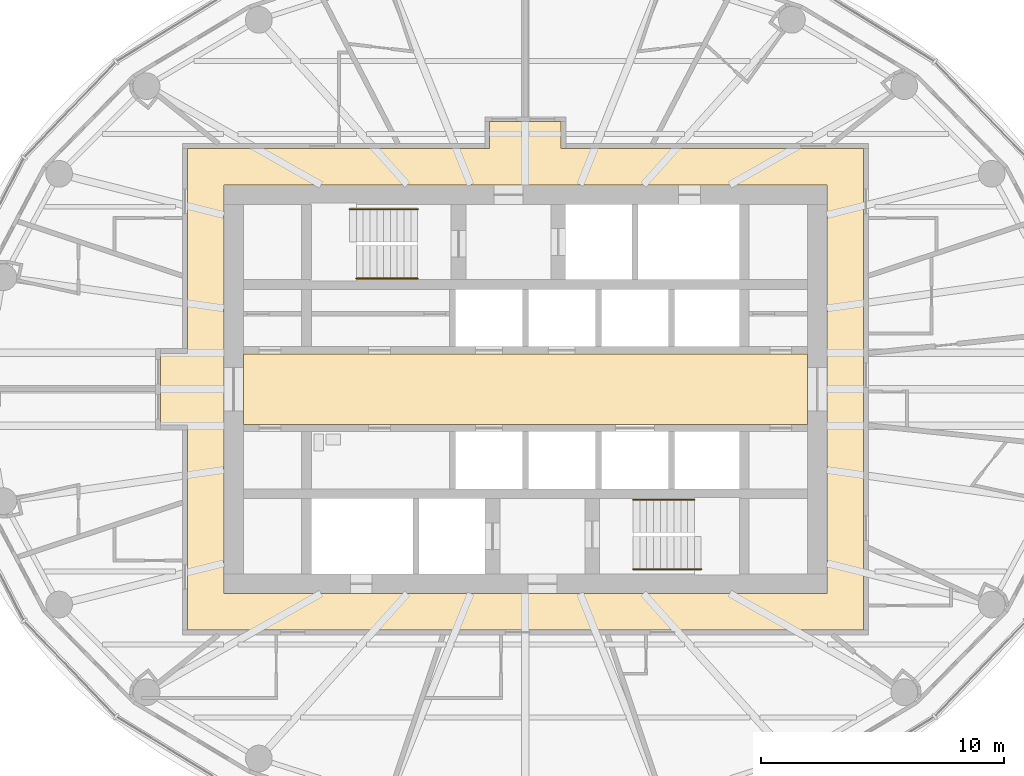
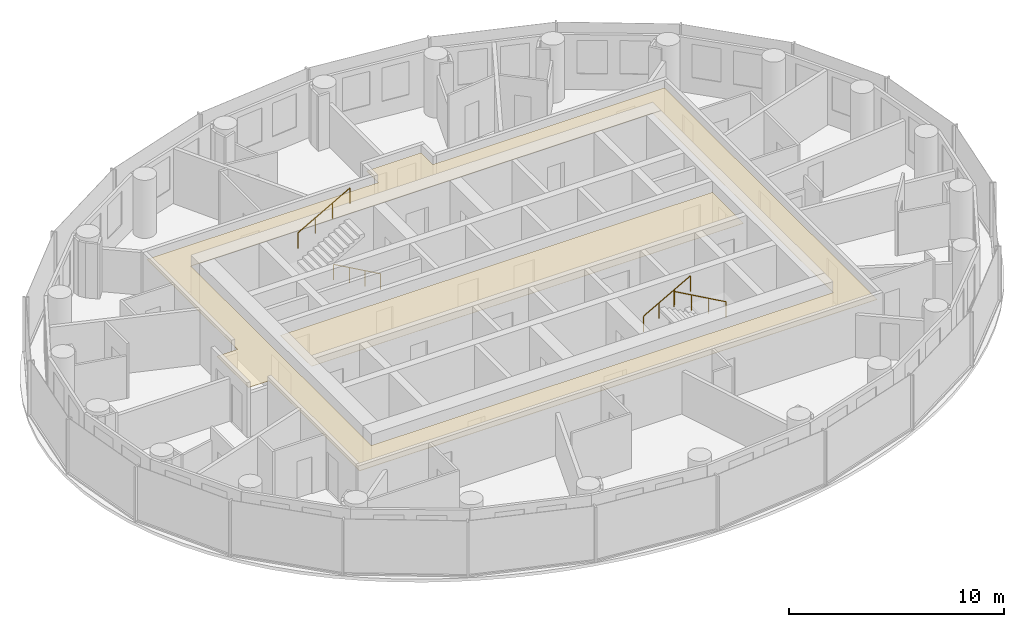
# One storey, part 15 of 16: 4 railings, 2 coverings.
"""IFC4 building model written with IfcOpenShell, lengths in metres."""

from ifc_helpers import new_model, si_unit, direction, frame, origin, origin_2d, place, context, subcontext, project, spatial, polyline, circle, outline, extrude, material, layer, layer_set, type_object, element, save


model = new_model("IFC4")

# Units and contexts
model_context = context("Model", 3, precision=1e-05, world=origin(), true_north=direction((0.0, 1.0)))
body_context = subcontext(model_context, "Body", "Model", "MODEL_VIEW")
ifc_project = project(units=[si_unit("LENGTHUNIT", "METRE"), si_unit("AREAUNIT", "SQUARE_METRE"), si_unit("VOLUMEUNIT", "CUBIC_METRE"), si_unit("PLANEANGLEUNIT", "RADIAN"), si_unit("MASSUNIT", "GRAM", prefix="KILO")], contexts=[model_context])

# Site, building, storey
site_placement = place(None, origin())
site = spatial("IfcSite", under=ifc_project, at=site_placement, CompositionType="ELEMENT")
building_placement = place(site_placement, origin())
building = spatial("IfcBuilding", under=site, at=building_placement, Name="Hankou Lantern Tower", CompositionType="ELEMENT")
storey_placement = place(building_placement, frame((0.0, 0.0, 173.10009765625)))
storey = spatial("IfcBuildingStorey", under=building, at=storey_placement, Name="L46", CompositionType="ELEMENT", Elevation=173.10009765625)

# Coverings
ifc_material_1 = material(Name="Black painted aluminium linear ceiling panels", Category="aluminium")
ifc_layer_1 = layer(ifc_material_1, 0.02490234375)
ifc_layer_set_1 = layer_set([ifc_layer_1], Name="Black painted aluminium linear ceiling panels")
covering_type_1 = type_object("IfcCoveringType", Name="CL1 CORRIDOR CEILING 25", PredefinedType="CEILING", material=ifc_layer_set_1)
covering_1_placement = place(storey_placement, frame((0.0, 0.0, 2.64501953125)))
element("IfcCovering", 1, at=covering_1_placement, inside=storey, type_object=covering_type_1, Name="Corridor ceiling L46", PredefinedType="CEILING", context=body_context, shape_type="SweptSolid", body=[
    extrude(outline(polyline([(1.469970703125, 9.89990234375), (1.469970703125, 11.0), (-1.469970703125, 11.0), (-1.469970703125, 9.89990234375), (-13.89990234375, 9.89990234375), (-13.89990234375, 1.469970703125), (-15.0, 1.469970703125), (-15.0, -1.469970703125), (-13.89990234375, -1.469970703125), (-13.89990234375, -9.89990234375), (13.89990234375, -9.89990234375), (13.89990234375, 9.89990234375), (1.469970703125, 9.89990234375)]), holes=[polyline([(-12.39990234375, 8.39990234375), (12.39990234375, 8.39990234375), (12.39990234375, -8.39990234375), (-12.39990234375, -8.39990234375), (-12.39990234375, 8.39990234375)])]), origin(), (0.0, 0.0, 1.0), 0.02490234375),
])
ifc_material_2 = material(Name="Perforated black aluminium acoustic tray ceiling", Category="aluminium")
ifc_layer_2 = layer(ifc_material_2, 0.014892578125)
ifc_layer_set_2 = layer_set([ifc_layer_2], Name="Perforated black aluminium acoustic tray ceiling")
covering_type_2 = type_object("IfcCoveringType", Name="CL2 LIFT LOBBY CEILING 15", PredefinedType="CEILING", material=ifc_layer_set_2)
covering_2_placement = place(storey_placement, frame((0.0, 0.0, 2.65478515625)))
element("IfcCovering", 2, at=covering_2_placement, inside=storey, type_object=covering_type_2, Name="Lift lobby ceiling L46", PredefinedType="CEILING", context=body_context, shape_type="SweptSolid", body=[
    extrude(outline(polyline([(-11.60009765625, -1.449951171875), (11.60009765625, -1.449951171875), (11.60009765625, 1.449951171875), (-11.60009765625, 1.449951171875), (-11.60009765625, -1.449951171875)])), origin(), (0.0, 0.0, 1.0), 0.01513671875),
])

# Railings
ifc_material_3 = material(Name="Steel handrail", Category="steel")
railing_type = type_object("IfcRailingType", Name="HR1 STAIR HANDRAIL", PredefinedType="HANDRAIL", material=ifc_material_3)
railing_1_placement = place(storey_placement, frame((-4.429931640625, 4.550048828125, 0.89990234375)))
element("IfcRailing", 3, at=railing_1_placement, inside=storey, type_object=railing_type, Name="Handrail stair STA L46 flight 1", PredefinedType="HANDRAIL", context=body_context, shape_type="SweptSolid", body=[
    extrude(circle(Radius=0.02392578125, at=origin_2d()), frame((0.0, 0.0, 0.8759765625), z_axis=(-0.872048945198, 0.0, 0.489418672692), x_axis=(0.0, -1.0, 0.0)), (0.0, 0.0, 1.0), 2.8896484375),
    extrude(circle(Radius=0.02099609375, at=origin_2d()), origin(), (0.0, 0.0, 1.0), 0.851806640625),
    extrude(circle(Radius=0.02099609375, at=origin_2d()), frame((-0.840087890625, 0.0, 0.471435546875)), (0.0, 0.0, 1.0), 0.851806640625),
    extrude(circle(Radius=0.02099609375, at=origin_2d()), frame((-1.679931640625, 0.0, 0.94287109375)), (0.0, 0.0, 1.0), 0.851806640625),
    extrude(circle(Radius=0.02099609375, at=origin_2d()), frame((-2.52001953125, 0.0, 1.414306640625)), (0.0, 0.0, 1.0), 0.851806640625),
])
railing_2_placement = place(storey_placement, frame((-7.22998046875, 7.39990234375, 2.471435546875)))
element("IfcRailing", 4, at=railing_2_placement, inside=storey, type_object=railing_type, Name="Handrail stair STA L46 flight 2", PredefinedType="HANDRAIL", context=body_context, shape_type="SweptSolid", body=[
    extrude(circle(Radius=0.02392578125, at=origin_2d()), frame((0.0, 0.0, 0.8759765625), z_axis=(0.872072602893, 0.0, 0.489376516891), x_axis=(0.0, 1.0, 0.0)), (0.0, 0.0, 1.0), 3.210693359375),
    extrude(circle(Radius=0.02099609375, at=origin_2d()), origin(), (0.0, 0.0, 1.0), 0.851806640625),
    extrude(circle(Radius=0.02099609375, at=origin_2d()), frame((0.933349609375, 0.0, 0.523681640625)), (0.0, 0.0, 1.0), 0.851806640625),
    extrude(circle(Radius=0.02099609375, at=origin_2d()), frame((1.86669921875, 0.0, 1.047607421875)), (0.0, 0.0, 1.0), 0.851806640625),
    extrude(circle(Radius=0.02099609375, at=origin_2d()), frame((2.800048828125, 0.0, 1.5712890625)), (0.0, 0.0, 1.0), 0.851806640625),
])
railing_3_placement = place(storey_placement, frame((4.429931640625, -4.550048828125, 0.89990234375)))
element("IfcRailing", 5, at=railing_3_placement, inside=storey, type_object=railing_type, Name="Handrail stair STB L46 flight 1", PredefinedType="HANDRAIL", context=body_context, shape_type="SweptSolid", body=[
    extrude(circle(Radius=0.02392578125, at=origin_2d()), frame((0.0, 0.0, 0.8759765625), z_axis=(0.872048945198, 0.0, 0.489418672692), x_axis=(0.0, 1.0, 0.0)), (0.0, 0.0, 1.0), 2.8896484375),
    extrude(circle(Radius=0.02099609375, at=origin_2d()), origin(), (0.0, 0.0, 1.0), 0.851806640625),
    extrude(circle(Radius=0.02099609375, at=origin_2d()), frame((0.840087890625, 0.0, 0.471435546875)), (0.0, 0.0, 1.0), 0.851806640625),
    extrude(circle(Radius=0.02099609375, at=origin_2d()), frame((1.679931640625, 0.0, 0.94287109375)), (0.0, 0.0, 1.0), 0.851806640625),
    extrude(circle(Radius=0.02099609375, at=origin_2d()), frame((2.52001953125, 0.0, 1.414306640625)), (0.0, 0.0, 1.0), 0.851806640625),
])
railing_4_placement = place(storey_placement, frame((7.22998046875, -7.39990234375, 2.471435546875)))
element("IfcRailing", 6, at=railing_4_placement, inside=storey, type_object=railing_type, Name="Handrail stair STB L46 flight 2", PredefinedType="HANDRAIL", context=body_context, shape_type="SweptSolid", body=[
    extrude(circle(Radius=0.02392578125, at=origin_2d()), frame((0.0, 0.0, 0.8759765625), z_axis=(-0.872072602893, 0.0, 0.489376516891), x_axis=(0.0, -1.0, 0.0)), (0.0, 0.0, 1.0), 3.210693359375),
    extrude(circle(Radius=0.02099609375, at=origin_2d()), origin(), (0.0, 0.0, 1.0), 0.851806640625),
    extrude(circle(Radius=0.02099609375, at=origin_2d()), frame((-0.933349609375, 0.0, 0.523681640625)), (0.0, 0.0, 1.0), 0.851806640625),
    extrude(circle(Radius=0.02099609375, at=origin_2d()), frame((-1.86669921875, 0.0, 1.047607421875)), (0.0, 0.0, 1.0), 0.851806640625),
    extrude(circle(Radius=0.02099609375, at=origin_2d()), frame((-2.800048828125, 0.0, 1.5712890625)), (0.0, 0.0, 1.0), 0.851806640625),
])

save(model, "model.ifc")
